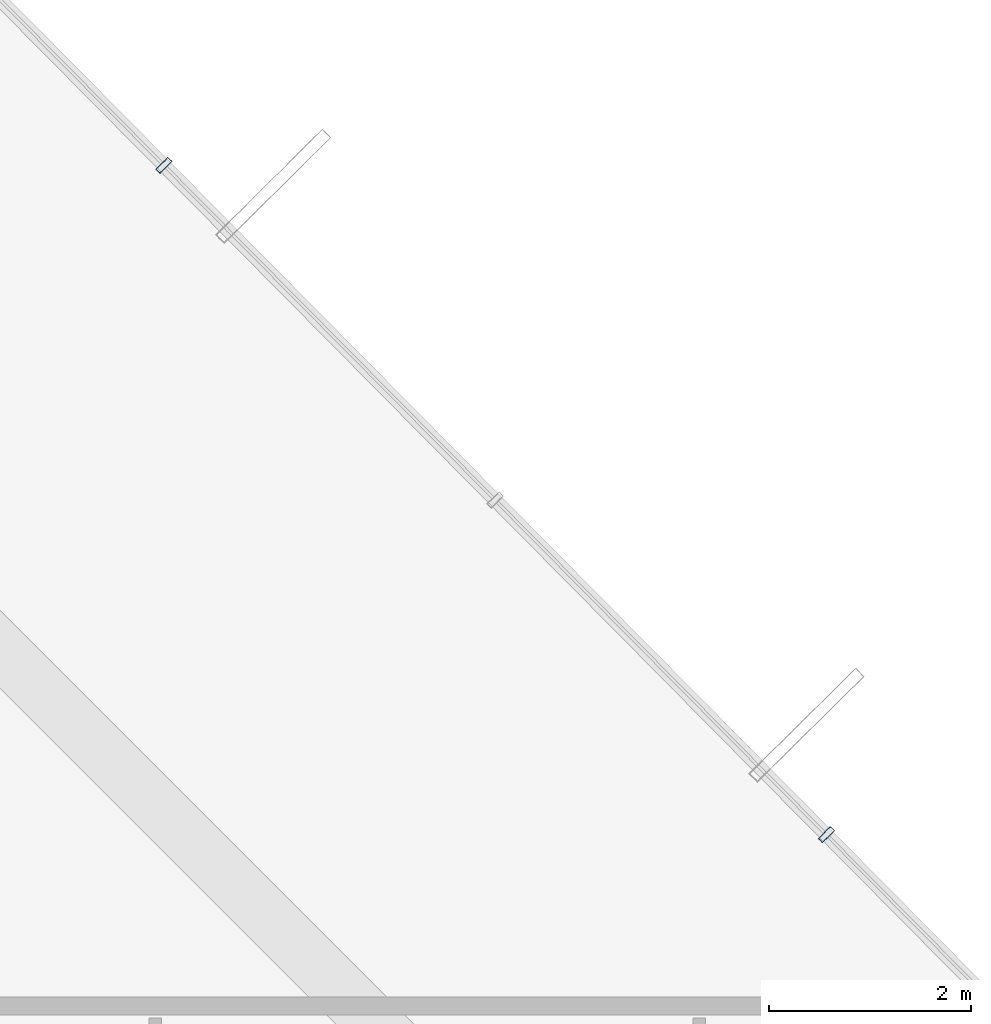
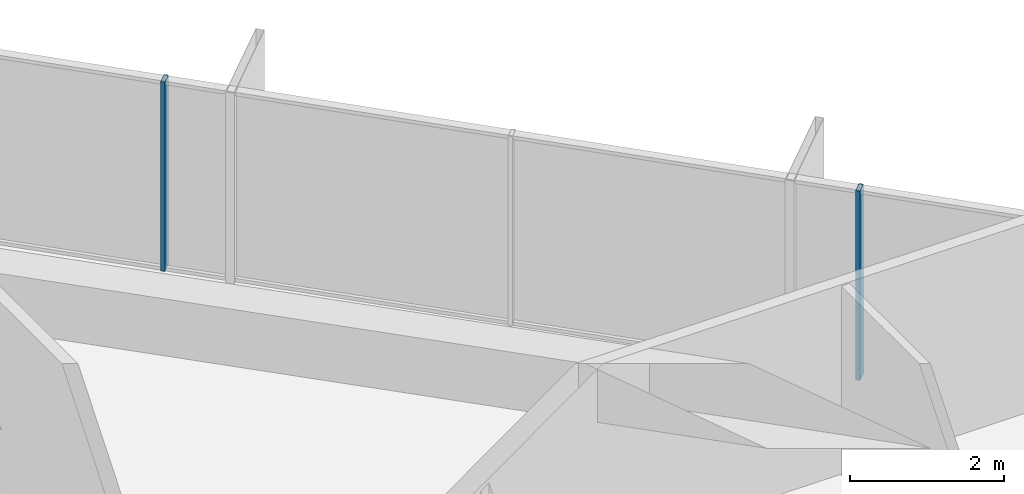
# One storey, part 32 of 39: 2 members, 1 element without a shape of its own.
"""IFC4 building model written with IfcOpenShell, lengths in metres."""

import ifcopenshell
import ifcopenshell.guid

model = None  # the IFC model being written
_history = None  # IfcOwnerHistory: only IFC2X3 demands one
_inside = {}  # id of a spatial element -> (the spatial element, [elements in it])
_under = {}  # id of a project, library or spatial element -> (it, [spatial elements below it])
_declared = {}  # id of a project -> (the project, [libraries it declares])
_typed = {}  # id of a type object -> (the type object, [elements of that type])
_made_of = {}  # id of a material, layer set ... -> (it, [elements and type objects made of it])


def new_model(schema):
    """Start an empty IFC model of exactly this schema.

    Asked for "IFC4X3", IfcOpenShell would pick the latest addendum, in which some entities
    have other attributes; the version numbers below select the first issue.
    IFC2X3 requires an IfcOwnerHistory on every rooted entity: one is made here for all.
    """
    global model, _history
    if schema == "IFC4X3":
        model = ifcopenshell.file(schema_version=(4, 3, 0, 0))
    else:
        model = ifcopenshell.file(schema=schema)
    _inside.clear()
    _under.clear()
    _declared.clear()
    _typed.clear()
    _made_of.clear()
    _history = None
    if model.schema == "IFC2X3":
        org = make("IfcOrganization", Name="unknown")
        user = make(
            "IfcPersonAndOrganization",
            ThePerson=make("IfcPerson", FamilyName="unknown"),
            TheOrganization=org,
        )
        app = make(
            "IfcApplication",
            ApplicationDeveloper=org,
            Version="unknown",
            ApplicationFullName="unknown",
            ApplicationIdentifier="unknown",
        )
        _history = make(
            "IfcOwnerHistory",
            OwningUser=user,
            OwningApplication=app,
            ChangeAction="ADDED",
            CreationDate=0,
        )
    return model


def make(cls, **values):
    """One entity of the class cls with the attributes given. An attribute that is None is left unset."""
    return model.create_entity(
        cls, **{name: value for name, value in values.items() if value is not None}
    )


def rooted(cls, **values):
    """An entity with a GlobalId (a new one), such as an element, a storey or a relation."""
    return make(cls, GlobalId=ifcopenshell.guid.new(), OwnerHistory=_history, **values)


def si_unit(unit_type, name, prefix=None):
    """IfcSIUnit, for example si_unit("LENGTHUNIT", "METRE", prefix="MILLI")."""
    return make("IfcSIUnit", UnitType=unit_type, Prefix=prefix, Name=name)


def assignment(units):
    """IfcUnitAssignment: the units of a project."""
    return None if units is None else make("IfcUnitAssignment", Units=units)


def point(xyz):
    """IfcCartesianPoint."""
    return None if xyz is None else make("IfcCartesianPoint", Coordinates=xyz)


def direction(xyz):
    """IfcDirection."""
    return None if xyz is None else make("IfcDirection", DirectionRatios=xyz)


def frame(location, z_axis=None, x_axis=None):
    """IfcAxis2Placement3D, a coordinate frame: its origin and axes. An axis left out is left unset."""
    return make(
        "IfcAxis2Placement3D",
        Location=point(location),
        Axis=direction(z_axis),
        RefDirection=direction(x_axis),
    )


def frame_2d(location, x_axis=None):
    """IfcAxis2Placement2D, a coordinate frame in the plane: its origin and x axis."""
    return make(
        "IfcAxis2Placement2D", Location=point(location), RefDirection=direction(x_axis)
    )


def origin():
    """The frame at (0, 0, 0) with its axes left unset."""
    return frame((0.0, 0.0, 0.0))


def origin_2d():
    """The frame at (0, 0) in the plane with its x axis left unset."""
    return frame_2d((0.0, 0.0))


def place(relative_to, where):
    """IfcLocalPlacement: puts the frame where relative to a parent placement (None: the world)."""
    return make(
        "IfcLocalPlacement", PlacementRelTo=relative_to, RelativePlacement=where
    )


def context(
    kind, dimensions, precision=None, world=None, true_north=None, identifier=None
):
    """IfcGeometricRepresentationContext, for example the 3D "Model" context."""
    return make(
        "IfcGeometricRepresentationContext",
        ContextIdentifier=identifier,
        ContextType=kind,
        CoordinateSpaceDimension=dimensions,
        Precision=precision,
        WorldCoordinateSystem=world,
        TrueNorth=true_north,
    )


def subcontext(parent, identifier, kind, view, scale=None):
    """IfcGeometricRepresentationSubContext, for example "Body" below "Model"."""
    return make(
        "IfcGeometricRepresentationSubContext",
        ContextIdentifier=identifier,
        ContextType=kind,
        ParentContext=parent,
        TargetScale=scale,
        TargetView=view,
    )


def project(units=None, contexts=None):
    """IfcProject with its units and contexts."""
    return rooted(
        "IfcProject",
        Name="project",
        RepresentationContexts=contexts,
        UnitsInContext=assignment(units),
    )


def spatial(cls, under=None, at=None, **own):
    """A site, building, storey or space (cls), placed at a placement, below another one or the project."""
    s = rooted(cls, ObjectPlacement=at, **own)
    if under is not None:
        _under.setdefault(under.id(), (under, []))[1].append(s)
    return s


def profile(cls, at=None, kind="AREA", **sizes):
    """A parametric profile (cls). Its sizes go by their IFC names, for example OverallWidth=200.0."""
    return make(cls, ProfileType=kind, Position=at, **sizes)


def hollow_rectangle(**sizes):
    """IfcRectangleHollowProfileDef."""
    return profile("IfcRectangleHollowProfileDef", **sizes)


def extrude(swept, where, along, depth):
    """IfcExtrudedAreaSolid: the profile swept, set in the frame where, extruded along a direction by depth."""
    return make(
        "IfcExtrudedAreaSolid",
        SweptArea=swept,
        Position=where,
        ExtrudedDirection=direction(along),
        Depth=depth,
    )


def shape(context_of_items, identifier, shape_type, items):
    """IfcShapeRepresentation: the items that make up one representation, for example the "Body"."""
    return make(
        "IfcShapeRepresentation",
        ContextOfItems=context_of_items,
        RepresentationIdentifier=identifier,
        RepresentationType=shape_type,
        Items=items,
    )


def source(mapping_origin, context_of_items, identifier, shape_type, items):
    """IfcRepresentationMap: a shape defined once, which mapped items show again and again."""
    return make(
        "IfcRepresentationMap",
        MappingOrigin=mapping_origin,
        MappedRepresentation=shape(context_of_items, identifier, shape_type, items),
    )


def transform(
    local_origin,
    x_axis=None,
    y_axis=None,
    z_axis=None,
    scale=None,
    scale2=None,
    scale3=None,
    uniform=True,
):
    """IfcCartesianTransformationOperator3D, or its non-uniform kind. x_axis, y_axis, z_axis: its Axis1, 2, 3."""
    if uniform:
        return make(
            "IfcCartesianTransformationOperator3D",
            Axis1=direction(x_axis),
            Axis2=direction(y_axis),
            LocalOrigin=point(local_origin),
            Scale=scale,
            Axis3=direction(z_axis),
        )
    return make(
        "IfcCartesianTransformationOperator3DnonUniform",
        Axis1=direction(x_axis),
        Axis2=direction(y_axis),
        LocalOrigin=point(local_origin),
        Scale=scale,
        Axis3=direction(z_axis),
        Scale2=scale2,
        Scale3=scale3,
    )


def mapped(mapping_source, mapping_target):
    """IfcMappedItem: shows the shape of a source again, moved by a transform."""
    return make(
        "IfcMappedItem", MappingSource=mapping_source, MappingTarget=mapping_target
    )


def material(Name=None, Category=None):
    """IfcMaterial."""
    return make("IfcMaterial", Name=Name, Category=Category)


def layer(
    of_material, thickness, ventilated=None, Name=None, Category=None, Priority=None
):
    """IfcMaterialLayer: one layer of a wall or slab, of a material (None: an air gap)."""
    return make(
        "IfcMaterialLayer",
        Material=of_material,
        LayerThickness=thickness,
        IsVentilated=ventilated,
        Name=Name,
        Category=Category,
        Priority=Priority,
    )


def layer_set(layers, Name=None):
    """IfcMaterialLayerSet."""
    return make("IfcMaterialLayerSet", MaterialLayers=layers, LayerSetName=Name)


def material_profile(
    of_material, cross_section, Name=None, Category=None, Priority=None
):
    """IfcMaterialProfile: a cross section and its material."""
    return make(
        "IfcMaterialProfile",
        Name=Name,
        Material=of_material,
        Profile=cross_section,
        Priority=Priority,
        Category=Category,
    )


def profile_set(profiles, Name=None, composite=None):
    """IfcMaterialProfileSet."""
    return make(
        "IfcMaterialProfileSet",
        Name=Name,
        MaterialProfiles=profiles,
        CompositeProfile=composite,
    )


def made_of(thing, what):
    """Note that an element or type object is made of a material, layer set ...; save() writes the relation."""
    if what is not None:
        _made_of.setdefault(what.id(), (what, []))[1].append(thing)
    return thing


def type_object(cls, material=None, **own):
    """A type object (cls), such as IfcWallType, which elements share."""
    return made_of(rooted(cls, **own), material)


def element(
    cls,
    number,
    at=None,
    inside=None,
    cuts=None,
    type_object=None,
    material=None,
    context=None,
    identifier="Body",
    shape_type=None,
    held_by="IfcProductDefinitionShape",
    body=None,
    shapes=None,
    **own,
):
    """One element of the class cls, such as IfcWall. Its Tag is "e" and its number.

    at: its placement. inside: the storey or other place that contains it. cuts: it is an
    opening in that element (IfcRelVoidsElement). A single representation is given by context,
    identifier, shape_type and body (its items); several are given by shapes. held_by: the class
    of the entity that holds the representations. save() writes the other relations.
    """
    e = rooted(cls, Tag="e%d" % number, ObjectPlacement=at, **own)
    if body is not None:
        shapes = [shape(context, identifier, shape_type, body)]
    if shapes is not None:
        e.Representation = make(held_by, Representations=shapes)
    if inside is not None:
        _inside.setdefault(inside.id(), (inside, []))[1].append(e)
    if cuts is not None:
        rooted(
            "IfcRelVoidsElement", RelatingBuildingElement=cuts, RelatedOpeningElement=e
        )
    if type_object is not None:
        _typed.setdefault(type_object.id(), (type_object, []))[1].append(e)
    return made_of(e, material)


def aggregate(whole, parts):
    """IfcRelAggregates: a whole, such as a stair, and the parts it consists of."""
    return rooted("IfcRelAggregates", RelatingObject=whole, RelatedObjects=parts)


def save(model, path):
    """Write the relations noted so far, then the file.

    IfcRelAggregates (storeys below a building ...), IfcRelContainedInSpatialStructure (elements
    in a storey), IfcRelDefinesByType, IfcRelAssociatesMaterial and IfcRelDeclares: one each for
    every whole, place, type object, material and project.
    """
    for whole, parts in _under.values():
        aggregate(whole, parts)
    for where, things in _inside.values():
        rooted(
            "IfcRelContainedInSpatialStructure",
            RelatedElements=things,
            RelatingStructure=where,
        )
    for kind, things in _typed.values():
        rooted("IfcRelDefinesByType", RelatedObjects=things, RelatingType=kind)
    for what, things in _made_of.values():
        rooted("IfcRelAssociatesMaterial", RelatedObjects=things, RelatingMaterial=what)
    for by, libraries in _declared.values():
        rooted("IfcRelDeclares", RelatingContext=by, RelatedDefinitions=libraries)
    model.write(path)


model = new_model("IFC4")

# Units and contexts
model_context = context("Model", 3, precision=1e-05, world=origin(), true_north=direction((0.0, 1.0)))
body_context = subcontext(model_context, "Body", "Model", "MODEL_VIEW")
ifc_project = project(units=[si_unit("LENGTHUNIT", "METRE"), si_unit("AREAUNIT", "SQUARE_METRE"), si_unit("VOLUMEUNIT", "CUBIC_METRE"), si_unit("PLANEANGLEUNIT", "RADIAN"), si_unit("MASSUNIT", "GRAM", prefix="KILO")], contexts=[model_context])

# Site, building, storey
site_placement = place(None, origin())
site = spatial("IfcSite", under=ifc_project, at=site_placement, CompositionType="ELEMENT")
building_placement = place(site_placement, origin())
building = spatial("IfcBuilding", under=site, at=building_placement, Name="Veraguas Prism Commons", CompositionType="ELEMENT")
storey_placement = place(building_placement, frame((0.0, 0.0, 73.85009765625)))
storey = spatial("IfcBuildingStorey", under=building, at=storey_placement, Name="L20", CompositionType="ELEMENT", Elevation=73.85009765625)

# Curtain wall, members
ifc_material = material(Name="Anodised aluminium EN AW-6063 T6", Category="aluminium")
ifc_layer = layer(ifc_material, 0.169921875, Name="Unitised Flush Curtain Wall Zone 1", Category="aluminium")
ifc_layer_set = layer_set([ifc_layer], Name="Anodised aluminium EN AW-6063 T6")
curtain_wall_type = type_object("IfcCurtainWallType", Name="Unitised Flush Curtain Wall Zone 1", PredefinedType="NOTDEFINED", material=ifc_layer_set)
curtain_wall_placement = place(storey_placement, origin())
curtain_wall = element("IfcCurtainWall", 1, at=curtain_wall_placement, inside=storey, type_object=curtain_wall_type, Name="Tower Facade Curtain Wall L20-F1", PredefinedType="NOTDEFINED")
ifc_material_profile = material_profile(ifc_material, hollow_rectangle(XDim=0.06005859375, YDim=0.169921875, WallThickness=0.00390625, at=origin_2d()), Name="AL60X170X4")
ifc_profile_set = profile_set([ifc_material_profile], Name="Anodised aluminium EN AW-6063 T6")
member_type = type_object("IfcMemberType", Name="Curtain Wall Mullion Lower AL 60x170x4", PredefinedType="MULLION", material=ifc_profile_set)
shared_shape = source(origin(), body_context, "Body", "SweptSolid", [
    extrude(hollow_rectangle(XDim=0.06005859375, YDim=0.169921875, WallThickness=0.00390625, at=origin_2d()), origin(), (0.0, 0.0, 1.0), 3.0),
])
member_1_placement = place(storey_placement, frame((42.059326171875, 35.299560546875, 0.0), z_axis=(0.0, 0.0, 1.0), x_axis=(-0.70339346223, 0.710800701527, 0.0)))
member_1 = element("IfcMember", 2, at=member_1_placement, type_object=member_type, Name="CW-Z1 Mullion 2", PredefinedType="MULLION", context=body_context, shape_type="MappedRepresentation", body=[
    mapped(shared_shape, transform((0.0, 0.0, 0.0), scale=1.0)),
])
member_2_placement = place(storey_placement, frame((35.488037109375, 41.93994140625, 0.0), z_axis=(0.0, 0.0, 1.0), x_axis=(-0.70339346223, 0.710800701527, 0.0)))
member_2 = element("IfcMember", 3, at=member_2_placement, type_object=member_type, Name="CW-Z1 Mullion 4", PredefinedType="MULLION", context=body_context, shape_type="MappedRepresentation", body=[
    mapped(shared_shape, transform((0.0, 0.0, 0.0), scale=1.0)),
])
aggregate(curtain_wall, [member_1, member_2])

save(model, "model.ifc")
